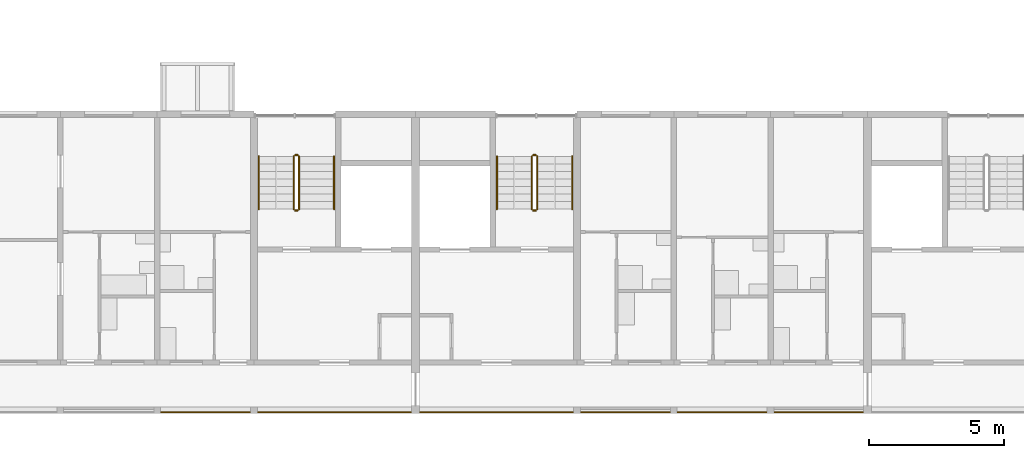
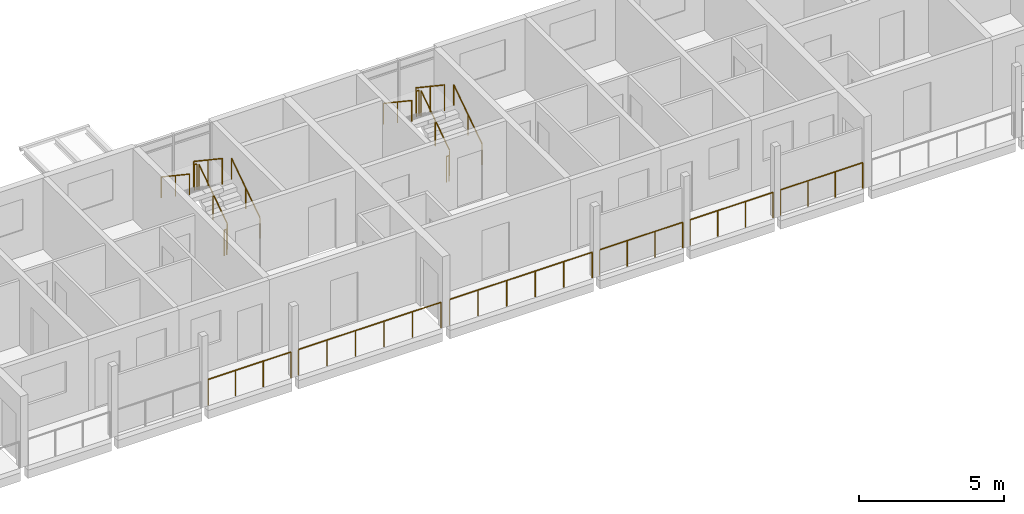
# One storey, part 73 of 78: 18 railings.
"""IFC4 building model written with IfcOpenShell, lengths in metres."""

from ifc_helpers import new_model, si_unit, direction, frame, origin, origin_2d, place, context, subcontext, project, spatial, circle, extrude, material, type_object, element, save


model = new_model("IFC4")

# Units and contexts
model_context = context("Model", 3, precision=1e-05, world=origin(), true_north=direction((0.0, 1.0)))
body_context = subcontext(model_context, "Body", "Model", "MODEL_VIEW")
ifc_project = project(units=[si_unit("LENGTHUNIT", "METRE"), si_unit("AREAUNIT", "SQUARE_METRE"), si_unit("VOLUMEUNIT", "CUBIC_METRE"), si_unit("PLANEANGLEUNIT", "RADIAN"), si_unit("MASSUNIT", "GRAM", prefix="KILO")], contexts=[model_context])

# Site, building, storey
site_placement = place(None, origin())
site = spatial("IfcSite", under=ifc_project, at=site_placement, CompositionType="ELEMENT")
building_placement = place(site_placement, origin())
building = spatial("IfcBuilding", under=site, at=building_placement, Name="Ridgestep Commons", CompositionType="ELEMENT")
storey_placement = place(building_placement, frame((0.0, 0.0, 30.0)))
storey = spatial("IfcBuildingStorey", under=building, at=storey_placement, Name="L10", CompositionType="ELEMENT", Elevation=30.0)

# Railings
ifc_material_1 = material(Name="Structural steel S355JR", Category="steel")
railing_type_1 = type_object("IfcRailingType", Name="Guard 1100", PredefinedType="GUARDRAIL", material=ifc_material_1)
railing_1_placement = place(storey_placement, frame((204.5458984375, 11.800048828125, 0.0)))
element("IfcRailing", 1, at=railing_1_placement, inside=storey, type_object=railing_type_1, Name="Gallery guard D 10.14", PredefinedType="GUARDRAIL", context=body_context, shape_type="SweptSolid", body=[
    extrude(circle(Radius=0.02392578125, at=origin_2d()), frame((0.0, 0.0, 1.076171875), z_axis=(1.0, 0.0, 0.0), x_axis=(0.0, 1.0, 0.0)), (0.0, 0.0, 1.0), 3.30810546875),
    extrude(circle(Radius=0.02099609375, at=origin_2d()), origin(), (0.0, 0.0, 1.0), 1.052001953125),
    extrude(circle(Radius=0.02099609375, at=origin_2d()), frame((1.102783203125, 0.0, 0.0)), (0.0, 0.0, 1.0), 1.052001953125),
    extrude(circle(Radius=0.02099609375, at=origin_2d()), frame((2.205322265625, 0.0, 0.0)), (0.0, 0.0, 1.0), 1.052001953125),
    extrude(circle(Radius=0.02099609375, at=origin_2d()), frame((3.30810546875, 0.0, 0.0)), (0.0, 0.0, 1.0), 1.052001953125),
])
for number, where, name in (
    (2, (208.14599609375, 11.800048828125, 0.0), "Gallery guard D 10.15"),
    (3, (214.1708984375, 11.800048828125, 0.0), "Gallery guard D 10.16"),
):
    element("IfcRailing", number, at=place(storey_placement, frame(where)), inside=storey, type_object=railing_type_1, Name=name, PredefinedType="GUARDRAIL", context=body_context, shape_type="SweptSolid", body=[
        extrude(circle(Radius=0.02392578125, at=origin_2d()), frame((0.0, 0.0, 1.076171875), z_axis=(1.0, 0.0, 0.0), x_axis=(0.0, 1.0, 0.0)), (0.0, 0.0, 1.0), 5.68310546875),
        extrude(circle(Radius=0.02099609375, at=origin_2d()), origin(), (0.0, 0.0, 1.0), 1.052001953125),
        extrude(circle(Radius=0.02099609375, at=origin_2d()), frame((1.13671875, 0.0, 0.0)), (0.0, 0.0, 1.0), 1.052001953125),
        extrude(circle(Radius=0.02099609375, at=origin_2d()), frame((2.273193359375, 0.0, 0.0)), (0.0, 0.0, 1.0), 1.052001953125),
        extrude(circle(Radius=0.02099609375, at=origin_2d()), frame((3.409912109375, 0.0, 0.0)), (0.0, 0.0, 1.0), 1.052001953125),
        extrude(circle(Radius=0.02099609375, at=origin_2d()), frame((4.54638671875, 0.0, 0.0)), (0.0, 0.0, 1.0), 1.052001953125),
        extrude(circle(Radius=0.02099609375, at=origin_2d()), frame((5.68310546875, 0.0, 0.0)), (0.0, 0.0, 1.0), 1.052001953125),
    ])
railing_2_placement = place(storey_placement, frame((220.14599609375, 11.800048828125, 0.0)))
element("IfcRailing", 4, at=railing_2_placement, inside=storey, type_object=railing_type_1, Name="Gallery guard D 10.17", PredefinedType="GUARDRAIL", context=body_context, shape_type="SweptSolid", body=[
    extrude(circle(Radius=0.02392578125, at=origin_2d()), frame((0.0, 0.0, 1.076171875), z_axis=(1.0, 0.0, 0.0), x_axis=(0.0, 1.0, 0.0)), (0.0, 0.0, 1.0), 3.30810546875),
    extrude(circle(Radius=0.02099609375, at=origin_2d()), origin(), (0.0, 0.0, 1.0), 1.052001953125),
    extrude(circle(Radius=0.02099609375, at=origin_2d()), frame((1.102783203125, 0.0, 0.0)), (0.0, 0.0, 1.0), 1.052001953125),
    extrude(circle(Radius=0.02099609375, at=origin_2d()), frame((2.205322265625, 0.0, 0.0)), (0.0, 0.0, 1.0), 1.052001953125),
    extrude(circle(Radius=0.02099609375, at=origin_2d()), frame((3.30810546875, 0.0, 0.0)), (0.0, 0.0, 1.0), 1.052001953125),
])
railing_3_placement = place(storey_placement, frame((223.74609375, 11.800048828125, 0.0)))
element("IfcRailing", 5, at=railing_3_placement, inside=storey, type_object=railing_type_1, Name="Gallery guard D 10.18", PredefinedType="GUARDRAIL", context=body_context, shape_type="SweptSolid", body=[
    extrude(circle(Radius=0.02392578125, at=origin_2d()), frame((0.0, 0.0, 1.076171875), z_axis=(1.0, 0.0, 0.0), x_axis=(0.0, 1.0, 0.0)), (0.0, 0.0, 1.0), 3.307861328125),
    extrude(circle(Radius=0.02099609375, at=origin_2d()), origin(), (0.0, 0.0, 1.0), 1.052001953125),
    extrude(circle(Radius=0.02099609375, at=origin_2d()), frame((1.1025390625, 0.0, 0.0)), (0.0, 0.0, 1.0), 1.052001953125),
    extrude(circle(Radius=0.02099609375, at=origin_2d()), frame((2.205322265625, 0.0, 0.0)), (0.0, 0.0, 1.0), 1.052001953125),
    extrude(circle(Radius=0.02099609375, at=origin_2d()), frame((3.307861328125, 0.0, 0.0)), (0.0, 0.0, 1.0), 1.052001953125),
])
railing_4_placement = place(storey_placement, frame((227.345947265625, 11.800048828125, 0.0)))
element("IfcRailing", 6, at=railing_4_placement, inside=storey, type_object=railing_type_1, Name="Gallery guard D 10.19", PredefinedType="GUARDRAIL", context=body_context, shape_type="SweptSolid", body=[
    extrude(circle(Radius=0.02392578125, at=origin_2d()), frame((0.0, 0.0, 1.076171875), z_axis=(1.0, 0.0, 0.0), x_axis=(0.0, 1.0, 0.0)), (0.0, 0.0, 1.0), 3.282958984375),
    extrude(circle(Radius=0.02099609375, at=origin_2d()), origin(), (0.0, 0.0, 1.0), 1.052001953125),
    extrude(circle(Radius=0.02099609375, at=origin_2d()), frame((1.09423828125, 0.0, 0.0)), (0.0, 0.0, 1.0), 1.052001953125),
    extrude(circle(Radius=0.02099609375, at=origin_2d()), frame((2.188720703125, 0.0, 0.0)), (0.0, 0.0, 1.0), 1.052001953125),
    extrude(circle(Radius=0.02099609375, at=origin_2d()), frame((3.282958984375, 0.0, 0.0)), (0.0, 0.0, 1.0), 1.052001953125),
])
ifc_material_2 = material(Name="Structural steel S355JR", Category="steel")
railing_type_2 = type_object("IfcRailingType", Name="Stair guard 1100", PredefinedType="GUARDRAIL", material=ifc_material_2)
railing_5_placement = place(storey_placement, frame((209.675048828125, 19.35009765625, 0.1875)))
element("IfcRailing", 7, at=railing_5_placement, inside=storey, type_object=railing_type_2, Name="L10 D4C stair guard 1", PredefinedType="GUARDRAIL", context=body_context, shape_type="SweptSolid", body=[
    extrude(circle(Radius=0.02392578125, at=origin_2d()), frame((0.0, 0.0, 1.076171875), z_axis=(0.0, 0.830902050051, 0.556418712142), x_axis=(-1.0, 0.0, 0.0)), (0.0, 0.0, 1.0), 2.35888671875),
    extrude(circle(Radius=0.02099609375, at=origin_2d()), origin(), (0.0, 0.0, 1.0), 1.052001953125),
    extrude(circle(Radius=0.02099609375, at=origin_2d()), frame((0.0, 0.97998046875, 0.65625)), (0.0, 0.0, 1.0), 1.052001953125),
    extrude(circle(Radius=0.02099609375, at=origin_2d()), frame((0.0, 1.9599609375, 1.3125)), (0.0, 0.0, 1.0), 1.052001953125),
])
railing_6_placement = place(storey_placement, frame((209.625, 21.360107421875, 1.5)))
element("IfcRailing", 8, at=railing_6_placement, inside=storey, type_object=railing_type_2, Name="L10 D4C stair guard 2", PredefinedType="GUARDRAIL", context=body_context, shape_type="SweptSolid", body=[
    extrude(circle(Radius=0.02392578125, at=origin_2d()), frame((0.0, 0.0, 1.076171875), z_axis=(-1.0, 0.0, 0.0), x_axis=(0.0, -1.0, 0.0)), (0.0, 0.0, 1.0), 0.10009765625),
    extrude(circle(Radius=0.02099609375, at=origin_2d()), origin(), (0.0, 0.0, 1.0), 1.052001953125),
    extrude(circle(Radius=0.02099609375, at=origin_2d()), frame((-0.10009765625, 0.0, 0.0)), (0.0, 0.0, 1.0), 1.052001953125),
])
railing_7_placement = place(storey_placement, frame((209.47509765625, 21.31005859375, 1.6875)))
element("IfcRailing", 9, at=railing_7_placement, inside=storey, type_object=railing_type_2, Name="L10 D4C stair guard 3", PredefinedType="GUARDRAIL", context=body_context, shape_type="SweptSolid", body=[
    extrude(circle(Radius=0.02392578125, at=origin_2d()), frame((0.0, 0.0, 1.076171875), z_axis=(0.0, -0.830902050051, 0.556418712142), x_axis=(1.0, 0.0, 0.0)), (0.0, 0.0, 1.0), 2.35888671875),
    extrude(circle(Radius=0.02099609375, at=origin_2d()), origin(), (0.0, 0.0, 1.0), 1.052001953125),
    extrude(circle(Radius=0.02099609375, at=origin_2d()), frame((0.0, -0.97998046875, 0.65625)), (0.0, 0.0, 1.0), 1.052001953125),
    extrude(circle(Radius=0.02099609375, at=origin_2d()), frame((0.0, -1.9599609375, 1.3125)), (0.0, 0.0, 1.0), 1.052001953125),
])
railing_8_placement = place(storey_placement, frame((209.625, 19.300048828125, 0.0)))
element("IfcRailing", 10, at=railing_8_placement, inside=storey, type_object=railing_type_2, Name="L10 D4C stair guard 4", PredefinedType="GUARDRAIL", context=body_context, shape_type="SweptSolid", body=[
    extrude(circle(Radius=0.02392578125, at=origin_2d()), frame((0.0, 0.0, 1.076171875), z_axis=(-1.0, 0.0, 0.0), x_axis=(0.0, -1.0, 0.0)), (0.0, 0.0, 1.0), 0.10009765625),
    extrude(circle(Radius=0.02099609375, at=origin_2d()), origin(), (0.0, 0.0, 1.0), 1.052001953125),
    extrude(circle(Radius=0.02099609375, at=origin_2d()), frame((-0.10009765625, 0.0, 0.0)), (0.0, 0.0, 1.0), 1.052001953125),
])
railing_9_placement = place(storey_placement, frame((218.52490234375, 19.35009765625, 0.1875)))
element("IfcRailing", 11, at=railing_9_placement, inside=storey, type_object=railing_type_2, Name="L10 D5C stair guard 1", PredefinedType="GUARDRAIL", context=body_context, shape_type="SweptSolid", body=[
    extrude(circle(Radius=0.02392578125, at=origin_2d()), frame((0.0, 0.0, 1.076171875), z_axis=(0.0, 0.830902050051, 0.556418712142), x_axis=(-1.0, 0.0, 0.0)), (0.0, 0.0, 1.0), 2.35888671875),
    extrude(circle(Radius=0.02099609375, at=origin_2d()), origin(), (0.0, 0.0, 1.0), 1.052001953125),
    extrude(circle(Radius=0.02099609375, at=origin_2d()), frame((0.0, 0.97998046875, 0.65625)), (0.0, 0.0, 1.0), 1.052001953125),
    extrude(circle(Radius=0.02099609375, at=origin_2d()), frame((0.0, 1.9599609375, 1.3125)), (0.0, 0.0, 1.0), 1.052001953125),
])
railing_10_placement = place(storey_placement, frame((218.47509765625, 21.360107421875, 1.5)))
element("IfcRailing", 12, at=railing_10_placement, inside=storey, type_object=railing_type_2, Name="L10 D5C stair guard 2", PredefinedType="GUARDRAIL", context=body_context, shape_type="SweptSolid", body=[
    extrude(circle(Radius=0.02392578125, at=origin_2d()), frame((0.0, 0.0, 1.076171875), z_axis=(-1.0, 0.0, 0.0), x_axis=(0.0, -1.0, 0.0)), (0.0, 0.0, 1.0), 0.10009765625),
    extrude(circle(Radius=0.02099609375, at=origin_2d()), origin(), (0.0, 0.0, 1.0), 1.052001953125),
    extrude(circle(Radius=0.02099609375, at=origin_2d()), frame((-0.10009765625, 0.0, 0.0)), (0.0, 0.0, 1.0), 1.052001953125),
])
railing_11_placement = place(storey_placement, frame((218.324951171875, 21.31005859375, 1.6875)))
element("IfcRailing", 13, at=railing_11_placement, inside=storey, type_object=railing_type_2, Name="L10 D5C stair guard 3", PredefinedType="GUARDRAIL", context=body_context, shape_type="SweptSolid", body=[
    extrude(circle(Radius=0.02392578125, at=origin_2d()), frame((0.0, 0.0, 1.076171875), z_axis=(0.0, -0.830902050051, 0.556418712142), x_axis=(1.0, 0.0, 0.0)), (0.0, 0.0, 1.0), 2.35888671875),
    extrude(circle(Radius=0.02099609375, at=origin_2d()), origin(), (0.0, 0.0, 1.0), 1.052001953125),
    extrude(circle(Radius=0.02099609375, at=origin_2d()), frame((0.0, -0.97998046875, 0.65625)), (0.0, 0.0, 1.0), 1.052001953125),
    extrude(circle(Radius=0.02099609375, at=origin_2d()), frame((0.0, -1.9599609375, 1.3125)), (0.0, 0.0, 1.0), 1.052001953125),
])
railing_12_placement = place(storey_placement, frame((218.47509765625, 19.300048828125, 0.0)))
element("IfcRailing", 14, at=railing_12_placement, inside=storey, type_object=railing_type_2, Name="L10 D5C stair guard 4", PredefinedType="GUARDRAIL", context=body_context, shape_type="SweptSolid", body=[
    extrude(circle(Radius=0.02392578125, at=origin_2d()), frame((0.0, 0.0, 1.076171875), z_axis=(-1.0, 0.0, 0.0), x_axis=(0.0, -1.0, 0.0)), (0.0, 0.0, 1.0), 0.10009765625),
    extrude(circle(Radius=0.02099609375, at=origin_2d()), origin(), (0.0, 0.0, 1.0), 1.052001953125),
    extrude(circle(Radius=0.02099609375, at=origin_2d()), frame((-0.10009765625, 0.0, 0.0)), (0.0, 0.0, 1.0), 1.052001953125),
])
ifc_material_3 = material(Name="Structural steel S355JR", Category="steel")
railing_type_3 = type_object("IfcRailingType", Name="Stair handrail 900", PredefinedType="HANDRAIL", material=ifc_material_3)
railing_13_placement = place(storey_placement, frame((210.97509765625, 19.35009765625, 0.1875)))
element("IfcRailing", 15, at=railing_13_placement, inside=storey, type_object=railing_type_3, Name="L10 D4C stair handrail 1", PredefinedType="HANDRAIL", context=body_context, shape_type="SweptSolid", body=[
    extrude(circle(Radius=0.02392578125, at=origin_2d()), frame((0.0, 0.0, 0.8759765625), z_axis=(0.0, 0.830902050051, 0.556418712142), x_axis=(-1.0, 0.0, 0.0)), (0.0, 0.0, 1.0), 2.35888671875),
    extrude(circle(Radius=0.02099609375, at=origin_2d()), origin(), (0.0, 0.0, 1.0), 0.851806640625),
    extrude(circle(Radius=0.02099609375, at=origin_2d()), frame((0.0, 0.97998046875, 0.65625)), (0.0, 0.0, 1.0), 0.851806640625),
    extrude(circle(Radius=0.02099609375, at=origin_2d()), frame((0.0, 1.9599609375, 1.3125)), (0.0, 0.0, 1.0), 0.851806640625),
])
railing_14_placement = place(storey_placement, frame((208.175048828125, 21.31005859375, 1.6875)))
element("IfcRailing", 16, at=railing_14_placement, inside=storey, type_object=railing_type_3, Name="L10 D4C stair handrail 2", PredefinedType="HANDRAIL", context=body_context, shape_type="SweptSolid", body=[
    extrude(circle(Radius=0.02392578125, at=origin_2d()), frame((0.0, 0.0, 0.8759765625), z_axis=(0.0, -0.830902050051, 0.556418712142), x_axis=(1.0, 0.0, 0.0)), (0.0, 0.0, 1.0), 2.35888671875),
    extrude(circle(Radius=0.02099609375, at=origin_2d()), origin(), (0.0, 0.0, 1.0), 0.851806640625),
    extrude(circle(Radius=0.02099609375, at=origin_2d()), frame((0.0, -0.97998046875, 0.65625)), (0.0, 0.0, 1.0), 0.851806640625),
    extrude(circle(Radius=0.02099609375, at=origin_2d()), frame((0.0, -1.9599609375, 1.3125)), (0.0, 0.0, 1.0), 0.851806640625),
])
railing_15_placement = place(storey_placement, frame((219.824951171875, 19.35009765625, 0.1875)))
element("IfcRailing", 17, at=railing_15_placement, inside=storey, type_object=railing_type_3, Name="L10 D5C stair handrail 1", PredefinedType="HANDRAIL", context=body_context, shape_type="SweptSolid", body=[
    extrude(circle(Radius=0.02392578125, at=origin_2d()), frame((0.0, 0.0, 0.8759765625), z_axis=(0.0, 0.830902050051, 0.556418712142), x_axis=(-1.0, 0.0, 0.0)), (0.0, 0.0, 1.0), 2.35888671875),
    extrude(circle(Radius=0.02099609375, at=origin_2d()), origin(), (0.0, 0.0, 1.0), 0.851806640625),
    extrude(circle(Radius=0.02099609375, at=origin_2d()), frame((0.0, 0.97998046875, 0.65625)), (0.0, 0.0, 1.0), 0.851806640625),
    extrude(circle(Radius=0.02099609375, at=origin_2d()), frame((0.0, 1.9599609375, 1.3125)), (0.0, 0.0, 1.0), 0.851806640625),
])
railing_16_placement = place(storey_placement, frame((217.02490234375, 21.31005859375, 1.6875)))
element("IfcRailing", 18, at=railing_16_placement, inside=storey, type_object=railing_type_3, Name="L10 D5C stair handrail 2", PredefinedType="HANDRAIL", context=body_context, shape_type="SweptSolid", body=[
    extrude(circle(Radius=0.02392578125, at=origin_2d()), frame((0.0, 0.0, 0.8759765625), z_axis=(0.0, -0.830902050051, 0.556418712142), x_axis=(1.0, 0.0, 0.0)), (0.0, 0.0, 1.0), 2.35888671875),
    extrude(circle(Radius=0.02099609375, at=origin_2d()), origin(), (0.0, 0.0, 1.0), 0.851806640625),
    extrude(circle(Radius=0.02099609375, at=origin_2d()), frame((0.0, -0.97998046875, 0.65625)), (0.0, 0.0, 1.0), 0.851806640625),
    extrude(circle(Radius=0.02099609375, at=origin_2d()), frame((0.0, -1.9599609375, 1.3125)), (0.0, 0.0, 1.0), 0.851806640625),
])

save(model, "model.ifc")
